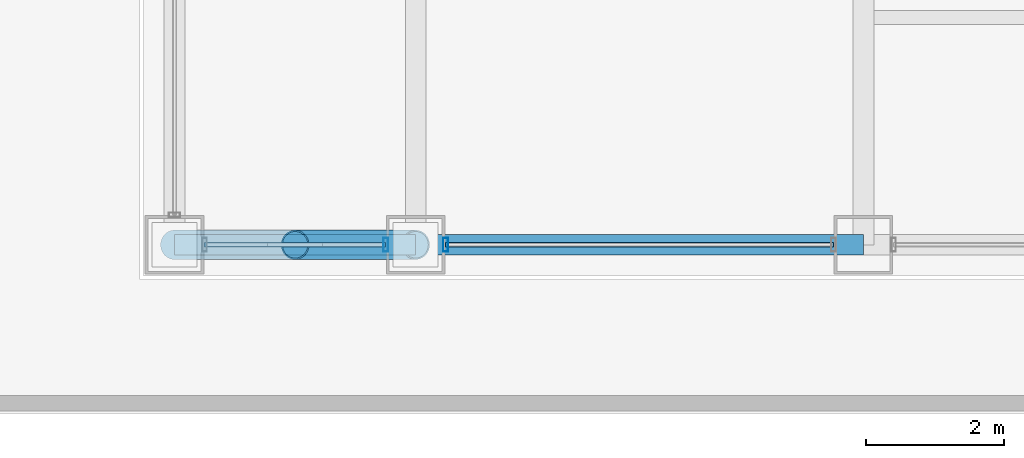
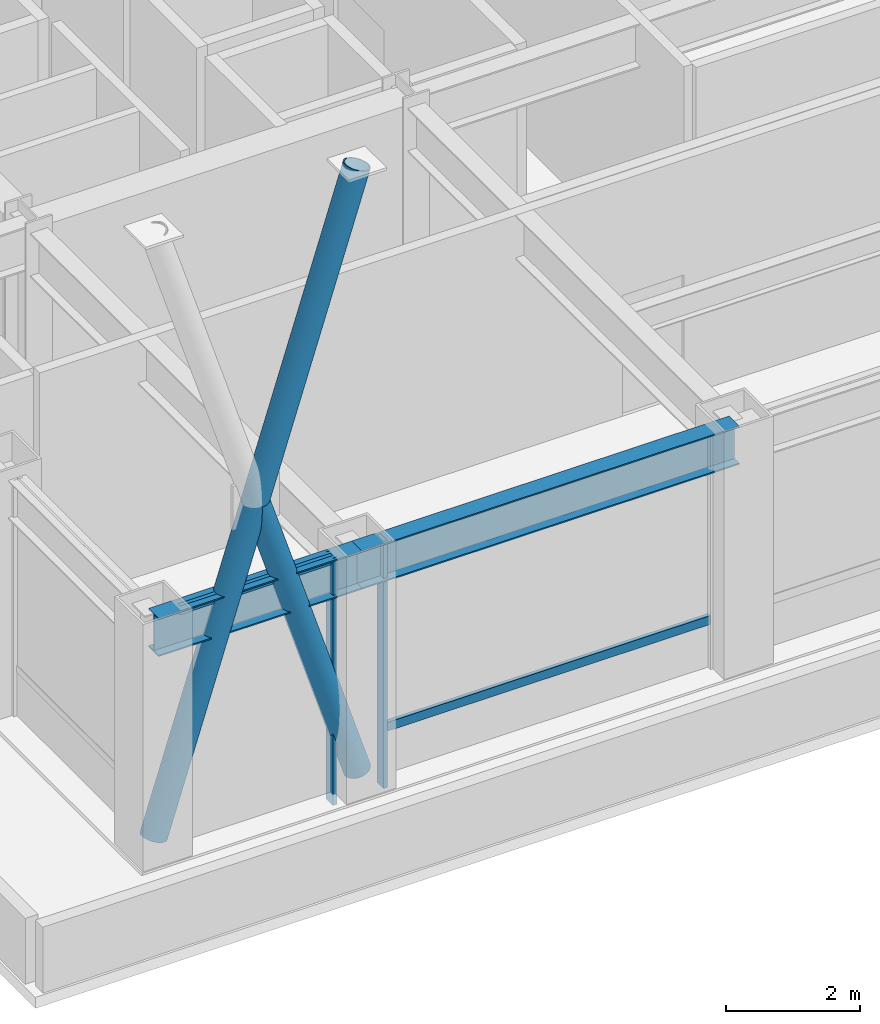
# One storey, part 3 of 32: 6 members, 2 beams, 2 elements without a shape of their own.
"""IFC4 building model written with IfcOpenShell, lengths in metres."""

from ifc_helpers import new_model, si_unit, direction, frame, origin, origin_2d, place, context, subcontext, project, spatial, hollow_rectangle, hollow_circle, i_section, extrude, material, layer, layer_set, material_profile, profile_set, type_object, element, aggregate, save


model = new_model("IFC4")

# Units and contexts
model_context = context("Model", 3, precision=1e-05, world=origin(), true_north=direction((0.0, 1.0)))
body_context = subcontext(model_context, "Body", "Model", "MODEL_VIEW")
ifc_project = project(units=[si_unit("LENGTHUNIT", "METRE"), si_unit("AREAUNIT", "SQUARE_METRE"), si_unit("VOLUMEUNIT", "CUBIC_METRE"), si_unit("PLANEANGLEUNIT", "RADIAN"), si_unit("MASSUNIT", "GRAM", prefix="KILO")], contexts=[model_context])

# Site, building, storey
site_placement = place(None, origin())
site = spatial("IfcSite", under=ifc_project, at=site_placement, CompositionType="ELEMENT")
building_placement = place(site_placement, origin())
building = spatial("IfcBuilding", under=site, at=building_placement, Name="Brelmoor Portico Tower", CompositionType="ELEMENT")
storey_placement = place(building_placement, frame((0.0, 0.0, 87.300048828125)))
storey = spatial("IfcBuildingStorey", under=building, at=storey_placement, Name="L22", CompositionType="ELEMENT", Elevation=87.300048828125)

# Beams
ifc_material_1 = material(Name="Steel Q355B", Category="steel")
ifc_material_profile_1 = material_profile(ifc_material_1, i_section(OverallWidth=0.300048828125, OverallDepth=0.699951171875, WebThickness=0.012939453125, FlangeThickness=0.02392578125, at=origin_2d()), Name="HN 700x300x13x24")
ifc_profile_set_1 = profile_set([ifc_material_profile_1], Name="Steel Q355B")
beam_type = type_object("IfcBeamType", Name="BM-SP-700", PredefinedType="SPANDREL", material=ifc_profile_set_1)
beam_1_placement = place(storey_placement, frame((-18.050048828125, -19.550048828125, 3.949951171875), z_axis=(1.0, 0.0, 0.0), x_axis=(0.0, 1.0, 0.0)))
element("IfcBeam", 1, at=beam_1_placement, inside=storey, type_object=beam_type, Name="L22 Perimeter Spandrel Beam SP-01", PredefinedType="SPANDREL", context=body_context, shape_type="SweptSolid", body=[
    extrude(i_section(OverallWidth=0.300048828125, OverallDepth=0.699951171875, WebThickness=0.012939453125, FlangeThickness=0.02392578125, at=origin_2d()), origin(), (0.0, 0.0, 1.0), 3.5),
])
beam_2_placement = place(storey_placement, frame((-14.550048828125, -19.550048828125, 3.949951171875), z_axis=(1.0, 0.0, 0.0), x_axis=(0.0, 1.0, 0.0)))
element("IfcBeam", 2, at=beam_2_placement, inside=storey, type_object=beam_type, Name="L22 Perimeter Spandrel Beam SP-02", PredefinedType="SPANDREL", context=body_context, shape_type="SweptSolid", body=[
    extrude(i_section(OverallWidth=0.300048828125, OverallDepth=0.699951171875, WebThickness=0.012939453125, FlangeThickness=0.02392578125, at=origin_2d()), origin(), (0.0, 0.0, 1.0), 6.5),
])

# Members
ifc_material_profile_2 = material_profile(ifc_material_1, hollow_circle(Radius=0.212890625, WallThickness=0.02001953125, at=origin_2d()), Name="CHS 426x20")
ifc_profile_set_2 = profile_set([ifc_material_profile_2], Name="Steel Q355B")
member_type_1 = type_object("IfcMemberType", Name="MB-BELT-DIAG1", PredefinedType="BRACE", material=ifc_profile_set_2)
member_1_placement = place(storey_placement, frame((-18.050048828125, -19.550048828125, 0.25), z_axis=(0.303203657277, 0.0, 0.952925780013), x_axis=(0.0, 1.0, 0.0)))
element("IfcMember", 3, at=member_1_placement, inside=storey, type_object=member_type_1, Name="L22 Continuous Mega-X Brace 043A", PredefinedType="BRACE", context=body_context, shape_type="SweptSolid", body=[
    extrude(hollow_circle(Radius=0.212890625, WallThickness=0.02001953125, at=origin_2d()), origin(), (0.0, 0.0, 1.0), 11.54345703125),
])
member_2_placement = place(storey_placement, frame((-14.550048828125, -19.550048828125, 0.25), z_axis=(-0.303203657277, 0.0, 0.952925780013), x_axis=(0.0, -1.0, 0.0)))
element("IfcMember", 4, at=member_2_placement, inside=storey, type_object=member_type_1, Name="L22 Split Mega-X Brace 043B1", PredefinedType="BRACE", context=body_context, shape_type="SweptSolid", body=[
    extrude(hollow_circle(Radius=0.212890625, WallThickness=0.02001953125, at=origin_2d()), origin(), (0.0, 0.0, 1.0), 5.771728515625),
])

# Curtain wall, member
ifc_material_2 = material(Name="Anodised Aluminium Alloy 6063-T6", Category="aluminium")
ifc_layer_1 = layer(ifc_material_2, 0.179931640625)
ifc_layer_set_1 = layer_set([ifc_layer_1], Name="Anodised Aluminium Alloy 6063-T6")
curtain_wall_type_1 = type_object("IfcCurtainWallType", Name="CW-SKYLOBBY-XB", PredefinedType="NOTDEFINED", material=ifc_layer_set_1)
curtain_wall_1_placement = place(storey_placement, origin())
curtain_wall_1 = element("IfcCurtainWall", 5, at=curtain_wall_1_placement, inside=storey, type_object=curtain_wall_type_1, Name="L22 Curtain Wall CW-L22-01-1", PredefinedType="NOTDEFINED")
ifc_material_profile_3 = material_profile(ifc_material_2, hollow_rectangle(XDim=0.070068359375, YDim=0.199951171875, WallThickness=0.00439453125, at=origin_2d()), Name="ALU MULLION 70x200")
ifc_profile_set_3 = profile_set([ifc_material_profile_3], Name="Anodised Aluminium Alloy 6063-T6")
member_type_2 = type_object("IfcMemberType", Name="MB-CW-MULL-200", PredefinedType="MULLION", material=ifc_profile_set_3)
member_3_placement = place(storey_placement, frame((-14.985107421875, -19.550048828125, -0.199951171875), z_axis=(0.0, 0.0, 1.0), x_axis=(1.0, 0.0, 0.0)))
member_3 = element("IfcMember", 6, at=member_3_placement, type_object=member_type_2, Name="CW-L22-01-1 Mullion 01", PredefinedType="MULLION", context=body_context, shape_type="SweptSolid", body=[
    extrude(hollow_rectangle(XDim=0.070068359375, YDim=0.199951171875, WallThickness=0.00439453125, at=origin_2d()), origin(), (0.0, 0.0, 1.0), 4.5),
])

ifc_layer_2 = layer(ifc_material_2, 0.179931640625)
ifc_layer_set_2 = layer_set([ifc_layer_2], Name="Anodised Aluminium Alloy 6063-T6")
curtain_wall_type_2 = type_object("IfcCurtainWallType", Name="CW-SKYLOBBY", PredefinedType="NOTDEFINED", material=ifc_layer_set_2)
curtain_wall_2_placement = place(storey_placement, origin())
curtain_wall_2 = element("IfcCurtainWall", 7, at=curtain_wall_2_placement, inside=storey, type_object=curtain_wall_type_2, Name="L22 Curtain Wall CW-L22-01-2", PredefinedType="NOTDEFINED")
member_4_placement = place(storey_placement, frame((-14.114990234375, -19.550048828125, -0.199951171875), z_axis=(0.0, 0.0, 1.0), x_axis=(1.0, 0.0, 0.0)))
member_4 = element("IfcMember", 8, at=member_4_placement, type_object=member_type_2, Name="CW-L22-01-2 Mullion 00", PredefinedType="MULLION", context=body_context, shape_type="SweptSolid", body=[
    extrude(hollow_rectangle(XDim=0.070068359375, YDim=0.199951171875, WallThickness=0.00439453125, at=origin_2d()), origin(), (0.0, 0.0, 1.0), 4.5),
])

# Member
ifc_material_profile_4 = material_profile(ifc_material_2, hollow_rectangle(XDim=0.070068359375, YDim=0.159912109375, WallThickness=0.00390625, at=origin_2d()), Name="ALU TRANSOM 70x160")
ifc_profile_set_4 = profile_set([ifc_material_profile_4], Name="Anodised Aluminium Alloy 6063-T6")
member_type_3 = type_object("IfcMemberType", Name="MB-CW-TRAN-160", PredefinedType="USERDEFINED", material=ifc_profile_set_4)
member_5_placement = place(storey_placement, frame((-17.614990234375, -19.550048828125, 4.219970703125), z_axis=(1.0, 0.0, 0.0), x_axis=(0.0, 1.0, 0.0)))
member_5 = element("IfcMember", 9, at=member_5_placement, type_object=member_type_3, Name="CW-L22-01-1 Transom 1-00", ObjectType="TRANSOM", PredefinedType="USERDEFINED", context=body_context, shape_type="SweptSolid", body=[
    extrude(hollow_rectangle(XDim=0.070068359375, YDim=0.159912109375, WallThickness=0.00390625, at=origin_2d()), origin(), (0.0, 0.0, 1.0), 2.6298828125),
])

aggregate(curtain_wall_1, [member_3, member_5])

member_6_placement = place(storey_placement, frame((-14.114990234375, -19.550048828125, 0.849853515625), z_axis=(1.0, 0.0, 0.0), x_axis=(0.0, 1.0, 0.0)))
member_6 = element("IfcMember", 10, at=member_6_placement, type_object=member_type_3, Name="CW-L22-01-2 Transom 1-00", ObjectType="TRANSOM", PredefinedType="USERDEFINED", context=body_context, shape_type="SweptSolid", body=[
    extrude(hollow_rectangle(XDim=0.070068359375, YDim=0.159912109375, WallThickness=0.00390625, at=origin_2d()), origin(), (0.0, 0.0, 1.0), 5.6298828125),
])

aggregate(curtain_wall_2, [member_4, member_6])

save(model, "model.ifc")
